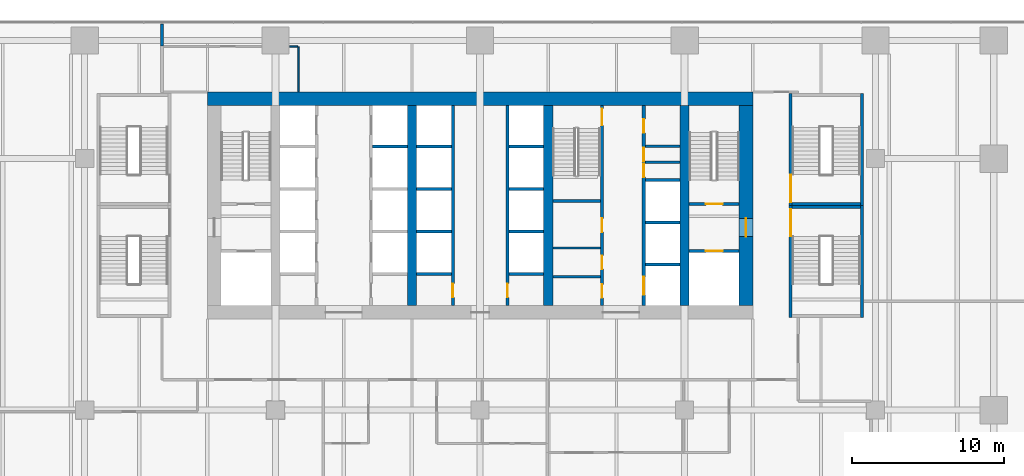
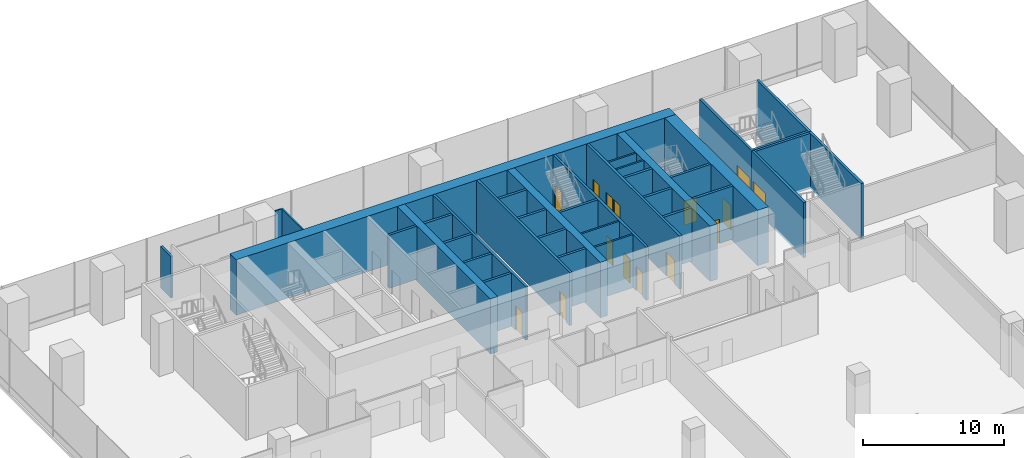
# One storey, part 21 of 28: 37 walls, 15 doors, 15 openings.
"""IFC4 building model written with IfcOpenShell, lengths in metres."""

from ifc_helpers import new_model, si_unit, direction, frame, frame_2d, origin, place, context, subcontext, project, spatial, rectangle, extrude, material, layer, layer_set, type_object, element, fill, save


model = new_model("IFC4")

# Units and contexts
model_context = context("Model", 3, precision=1e-05, world=origin(), true_north=direction((0.0, 1.0)))
body_context = subcontext(model_context, "Body", "Model", "MODEL_VIEW")
ifc_project = project(units=[si_unit("LENGTHUNIT", "METRE"), si_unit("AREAUNIT", "SQUARE_METRE"), si_unit("VOLUMEUNIT", "CUBIC_METRE"), si_unit("PLANEANGLEUNIT", "RADIAN"), si_unit("MASSUNIT", "GRAM", prefix="KILO")], contexts=[model_context])

# Site, building, storey
site_placement = place(None, origin())
site = spatial("IfcSite", under=ifc_project, at=site_placement, CompositionType="ELEMENT")
building_placement = place(site_placement, origin())
building = spatial("IfcBuilding", under=site, at=building_placement, Name="Rattan Terrace Tower", CompositionType="ELEMENT")
storey_placement = place(building_placement, frame((0.0, 0.0, 17.39990234375)))
storey = spatial("IfcBuildingStorey", under=building, at=storey_placement, Name="L03", CompositionType="ELEMENT", Elevation=17.39990234375)

# Walls
ifc_material_1 = material(Name="Gypsum board partition")
ifc_layer_1 = layer(ifc_material_1, 0.14990234375)
ifc_layer_set_1 = layer_set([ifc_layer_1], Name="Core partition 150")
wall_type_1 = type_object("IfcWallType", Name="Core partition 150", PredefinedType="PARTITIONING", material=ifc_layer_set_1)
for number, where, z_axis, x_axis, name in (
    (1, (4.800048828125, -4.696044921875, 0.0), (0.0, 0.0, 1.0), (1.0, 0.0, 0.0), "Toilet wall"),
    (2, (4.800048828125, -2.7919921875, 0.0), (0.0, 0.0, 1.0), (1.0, 0.0, 0.0), "Toilet wall"),
):
    element("IfcWall", number, at=place(storey_placement, frame(where, z_axis=z_axis, x_axis=x_axis)), inside=storey, type_object=wall_type_1, Name=name, PredefinedType="PARTITIONING", context=body_context, shape_type="SweptSolid", body=[
        extrude(rectangle(XDim=3.14990234375, YDim=0.14990234375, at=frame_2d((1.574951171875, 0.0))), origin(), (0.0, 0.0, 1.0), 4.60009765625),
    ])
for number, where, z_axis, x_axis, name in (
    (3, (10.89990234375, 2.85595703125, 0.0), (0.0, 0.0, 1.0), (1.0, 0.0, 0.0), "Riser room wall"),
    (4, (10.89990234375, 3.912109375, 0.0), (0.0, 0.0, 1.0), (1.0, 0.0, 0.0), "Riser room wall"),
):
    element("IfcWall", number, at=place(storey_placement, frame(where, z_axis=z_axis, x_axis=x_axis)), inside=storey, type_object=wall_type_1, Name=name, PredefinedType="PARTITIONING", context=body_context, shape_type="SweptSolid", body=[
        extrude(rectangle(XDim=2.300048828125, YDim=0.14990234375, at=frame_2d((1.14990234375, 0.0))), origin(), (0.0, 0.0, 1.0), 4.60009765625),
    ])

# Wall, opening, door
ifc_material_2 = material(Name="Gypsum board partition")
ifc_layer_2 = layer(ifc_material_2, 0.199951171875)
ifc_layer_set_2 = layer_set([ifc_layer_2], Name="Core partition 200")
wall_type_2 = type_object("IfcWallType", Name="Core partition 200", PredefinedType="PARTITIONING", material=ifc_layer_set_2)
wall_1_placement = place(storey_placement, frame((13.800048828125, -3.0, 0.0), z_axis=(0.0, 0.0, 1.0), x_axis=(1.0, 0.0, 0.0)))
wall_1 = element("IfcWall", 5, at=wall_1_placement, inside=storey, type_object=wall_type_2, Name="Fire-fighting lobby wall", PredefinedType="PARTITIONING", context=body_context, shape_type="SweptSolid", body=[
    extrude(rectangle(XDim=3.300048828125, YDim=0.199951171875, at=frame_2d((1.64990234375, 0.0))), origin(), (0.0, 0.0, 1.0), 4.60009765625),
])
opening_1_placement = place(wall_1_placement, frame((1.10009765625, 0.0, 0.0)))
opening_1 = element("IfcOpeningElement", 6, at=opening_1_placement, cuts=wall_1, Name="Opening L03-LD-FF2", PredefinedType="OPENING", context=body_context, shape_type="SweptSolid", body=[
    extrude(rectangle(XDim=1.10009765625, YDim=2.10009765625, at=frame_2d((0.550048828125, 1.050048828125))), frame((0.0, 0.110595703125, 0.0), z_axis=(0.0, -1.0, 0.0), x_axis=(1.0, 0.0, 0.0)), (0.0, 0.0, 1.0), 0.220947265625),
])
ifc_material_3 = material(Name="Brushed stainless landing door panel")
door_type_1 = type_object("IfcDoorType", Name="Core lift landing door 1100", OperationType="DOUBLE_DOOR_SLIDING", PredefinedType="DOOR", material=ifc_material_3)
door_1_placement = place(opening_1_placement, origin())
door_1 = element("IfcDoor", 7, at=door_1_placement, inside=storey, type_object=door_type_1, Name="Door L03-LD-FF2", OperationType="DOUBLE_DOOR_SLIDING", OverallHeight=2.10009765625, OverallWidth=1.10009765625, PredefinedType="DOOR", context=body_context, shape_type="SweptSolid", body=[
    extrude(rectangle(XDim=1.10009765625, YDim=2.10009765625, at=frame_2d((0.550048828125, 1.050048828125))), frame((0.0, 0.02490234375, 0.0), z_axis=(0.0, -1.0, 0.0), x_axis=(1.0, 0.0, 0.0)), (0.0, 0.0, 1.0), 0.050048828125),
])
fill(opening_1, door_1)

wall_2_placement = place(storey_placement, frame((13.800048828125, 0.10009765625, 0.0), z_axis=(0.0, 0.0, 1.0), x_axis=(1.0, 0.0, 0.0)))
wall_2 = element("IfcWall", 8, at=wall_2_placement, inside=storey, type_object=wall_type_2, Name="Stair enclosure wall", PredefinedType="PARTITIONING", context=body_context, shape_type="SweptSolid", body=[
    extrude(rectangle(XDim=3.300048828125, YDim=0.199951171875, at=frame_2d((1.64990234375, 0.0))), origin(), (0.0, 0.0, 1.0), 4.60009765625),
])
opening_2_placement = place(wall_2_placement, frame((1.10009765625, 0.0, 0.0)))
opening_2 = element("IfcOpeningElement", 9, at=opening_2_placement, cuts=wall_2, Name="Opening L03-D004", PredefinedType="OPENING", context=body_context, shape_type="SweptSolid", body=[
    extrude(rectangle(XDim=1.10009765625, YDim=2.10009765625, at=frame_2d((0.550048828125, 1.050048828125))), frame((0.0, 0.110595703125, 0.0), z_axis=(0.0, -1.0, 0.0), x_axis=(1.0, 0.0, 0.0)), (0.0, 0.0, 1.0), 0.220947265625),
])
ifc_material_4 = material(Name="Hollow-metal fire door leaf")
door_type_2 = type_object("IfcDoorType", Name="Core stair door 1100", OperationType="NOTDEFINED", PredefinedType="DOOR", material=ifc_material_4)
door_2_placement = place(opening_2_placement, origin())
door_2 = element("IfcDoor", 10, at=door_2_placement, inside=storey, type_object=door_type_2, Name="Door L03-D004", OperationType="SINGLE_SWING_LEFT", OverallHeight=2.10009765625, OverallWidth=1.10009765625, PredefinedType="DOOR", context=body_context, shape_type="SweptSolid", body=[
    extrude(rectangle(XDim=1.10009765625, YDim=2.10009765625, at=frame_2d((0.550048828125, 1.050048828125))), frame((0.0, 0.02490234375, 0.0), z_axis=(0.0, -1.0, 0.0), x_axis=(1.0, 0.0, 0.0)), (0.0, 0.0, 1.0), 0.050048828125),
])
fill(opening_2, door_2)

# Wall, openings, doors
wall_3_placement = place(storey_placement, frame((8.050048828125, -6.60009765625, 0.0), z_axis=(0.0, 0.0, 1.0), x_axis=(0.0, 1.0, 0.0)))
wall_3 = element("IfcWall", 11, at=wall_3_placement, inside=storey, type_object=wall_type_2, Name="Lobby wall west", PredefinedType="PARTITIONING", context=body_context, shape_type="SweptSolid", body=[
    extrude(rectangle(XDim=13.2001953125, YDim=0.199951171875, at=frame_2d((6.60009765625, 0.0))), origin(), (0.0, 0.0, 1.0), 4.60009765625),
])
opening_3_placement = place(wall_3_placement, frame((0.501953125, 0.0, 0.0)))
opening_3 = element("IfcOpeningElement", 12, at=opening_3_placement, cuts=wall_3, Name="Opening L03-D011", PredefinedType="OPENING", context=body_context, shape_type="SweptSolid", body=[
    extrude(rectangle(XDim=0.89990234375, YDim=2.10009765625, at=frame_2d((0.449951171875, 1.050048828125))), frame((0.0, 0.110595703125, 0.0), z_axis=(0.0, -1.0, 0.0), x_axis=(1.0, 0.0, 0.0)), (0.0, 0.0, 1.0), 0.220947265625),
])
opening_4_placement = place(wall_3_placement, frame((2.406005859375, 0.0, 0.0)))
opening_4 = element("IfcOpeningElement", 13, at=opening_4_placement, cuts=wall_3, Name="Opening L03-D012", PredefinedType="OPENING", context=body_context, shape_type="SweptSolid", body=[
    extrude(rectangle(XDim=0.89990234375, YDim=2.10009765625, at=frame_2d((0.449951171875, 1.050048828125))), frame((0.0, 0.110595703125, 0.0), z_axis=(0.0, -1.0, 0.0), x_axis=(1.0, 0.0, 0.0)), (0.0, 0.0, 1.0), 0.220947265625),
])
opening_5_placement = place(wall_3_placement, frame((4.85400390625, 0.0, 0.0)))
opening_5 = element("IfcOpeningElement", 14, at=opening_5_placement, cuts=wall_3, Name="Opening L03-D013", PredefinedType="OPENING", context=body_context, shape_type="SweptSolid", body=[
    extrude(rectangle(XDim=0.89990234375, YDim=2.10009765625, at=frame_2d((0.449951171875, 1.050048828125))), frame((0.0, 0.110595703125, 0.0), z_axis=(0.0, -1.0, 0.0), x_axis=(1.0, 0.0, 0.0)), (0.0, 0.0, 1.0), 0.220947265625),
])
opening_6_placement = place(wall_3_placement, frame((11.89990234375, 0.0, 0.0)))
opening_6 = element("IfcOpeningElement", 15, at=opening_6_placement, cuts=wall_3, Name="Opening L03-D014", PredefinedType="OPENING", context=body_context, shape_type="SweptSolid", body=[
    extrude(rectangle(XDim=1.10009765625, YDim=2.10009765625, at=frame_2d((0.550048828125, 1.050048828125))), frame((0.0, 0.110595703125, 0.0), z_axis=(0.0, -1.0, 0.0), x_axis=(1.0, 0.0, 0.0)), (0.0, 0.0, 1.0), 0.220947265625),
])
door_3_placement = place(opening_6_placement, origin())
door_3 = element("IfcDoor", 16, at=door_3_placement, inside=storey, type_object=door_type_2, Name="Door L03-D014", OperationType="SINGLE_SWING_RIGHT", OverallHeight=2.10009765625, OverallWidth=1.10009765625, PredefinedType="DOOR", context=body_context, shape_type="SweptSolid", body=[
    extrude(rectangle(XDim=1.10009765625, YDim=2.10009765625, at=frame_2d((0.550048828125, 1.050048828125))), frame((0.0, 0.02490234375, 0.0), z_axis=(0.0, -1.0, 0.0), x_axis=(1.0, 0.0, 0.0)), (0.0, 0.0, 1.0), 0.050048828125),
])
fill(opening_6, door_3)
ifc_material_5 = material(Name="Hollow-metal fire door leaf")
door_type_3 = type_object("IfcDoorType", Name="Core toilet door 900", OperationType="NOTDEFINED", PredefinedType="DOOR", material=ifc_material_5)
door_4_placement = place(opening_3_placement, origin())
door_4 = element("IfcDoor", 17, at=door_4_placement, inside=storey, type_object=door_type_3, Name="Door L03-D011", OperationType="SINGLE_SWING_LEFT", OverallHeight=2.10009765625, OverallWidth=0.89990234375, PredefinedType="DOOR", context=body_context, shape_type="SweptSolid", body=[
    extrude(rectangle(XDim=0.89990234375, YDim=2.10009765625, at=frame_2d((0.449951171875, 1.050048828125))), frame((0.0, 0.02490234375, 0.0), z_axis=(0.0, -1.0, 0.0), x_axis=(1.0, 0.0, 0.0)), (0.0, 0.0, 1.0), 0.050048828125),
])
fill(opening_3, door_4)
door_5_placement = place(opening_4_placement, origin())
door_5 = element("IfcDoor", 18, at=door_5_placement, inside=storey, type_object=door_type_3, Name="Door L03-D012", OperationType="SINGLE_SWING_RIGHT", OverallHeight=2.10009765625, OverallWidth=0.89990234375, PredefinedType="DOOR", context=body_context, shape_type="SweptSolid", body=[
    extrude(rectangle(XDim=0.89990234375, YDim=2.10009765625, at=frame_2d((0.449951171875, 1.050048828125))), frame((0.0, 0.02490234375, 0.0), z_axis=(0.0, -1.0, 0.0), x_axis=(1.0, 0.0, 0.0)), (0.0, 0.0, 1.0), 0.050048828125),
])
fill(opening_4, door_5)
door_6_placement = place(opening_5_placement, origin())
door_6 = element("IfcDoor", 19, at=door_6_placement, inside=storey, type_object=door_type_3, Name="Door L03-D013", OperationType="SINGLE_SWING_LEFT", OverallHeight=2.10009765625, OverallWidth=0.89990234375, PredefinedType="DOOR", context=body_context, shape_type="SweptSolid", body=[
    extrude(rectangle(XDim=0.89990234375, YDim=2.10009765625, at=frame_2d((0.449951171875, 1.050048828125))), frame((0.0, 0.02490234375, 0.0), z_axis=(0.0, -1.0, 0.0), x_axis=(1.0, 0.0, 0.0)), (0.0, 0.0, 1.0), 0.050048828125),
])
fill(opening_5, door_6)

# Walls
wall_4_placement = place(storey_placement, frame((4.800048828125, 0.300048828125, 0.0), z_axis=(0.0, 0.0, 1.0), x_axis=(1.0, 0.0, 0.0)))
element("IfcWall", 20, at=wall_4_placement, inside=storey, type_object=wall_type_2, Name="Stair enclosure wall", PredefinedType="PARTITIONING", context=body_context, shape_type="SweptSolid", body=[
    extrude(rectangle(XDim=3.14990234375, YDim=0.199951171875, at=frame_2d((1.574951171875, 0.0))), origin(), (0.0, 0.0, 1.0), 4.60009765625),
])
ifc_material_6 = material(Name="Concrete C70/85", Category="concrete")
ifc_layer_3 = layer(ifc_material_6, 0.89990234375)
ifc_layer_set_3 = layer_set([ifc_layer_3], Name="Core ring wall 900 C70/85")
wall_type_3 = type_object("IfcWallType", Name="Core ring wall 900 C70/85", PredefinedType="SHEAR", material=ifc_layer_set_3)
wall_5_placement = place(storey_placement, frame((-18.0, 7.050048828125, -0.199951171875), z_axis=(0.0, 0.0, 1.0), x_axis=(1.0, 0.0, 0.0)))
element("IfcWall", 21, at=wall_5_placement, inside=storey, type_object=wall_type_3, Name="Rear core wall north", PredefinedType="SHEAR", context=body_context, shape_type="SweptSolid", body=[
    extrude(rectangle(XDim=36.0, YDim=0.89990234375, at=frame_2d((18.0, 0.0))), origin(), (0.0, 0.0, 1.0), 4.800048828125),
])

# Wall, opening, door
wall_6_placement = place(storey_placement, frame((17.550048828125, -6.60009765625, -0.199951171875), z_axis=(0.0, 0.0, 1.0), x_axis=(0.0, 1.0, 0.0)))
wall_6 = element("IfcWall", 22, at=wall_6_placement, inside=storey, type_object=wall_type_3, Name="Rear core wall east", PredefinedType="SHEAR", context=body_context, shape_type="SweptSolid", body=[
    extrude(rectangle(XDim=13.2001953125, YDim=0.89990234375, at=frame_2d((6.60009765625, 0.0))), origin(), (0.0, 0.0, 1.0), 4.800048828125),
])
opening_7_placement = place(wall_6_placement, frame((4.550048828125, 0.0, 0.199951171875)))
opening_7 = element("IfcOpeningElement", 23, at=opening_7_placement, cuts=wall_6, Name="Opening L03-D003", PredefinedType="OPENING", context=body_context, shape_type="SweptSolid", body=[
    extrude(rectangle(XDim=1.199951171875, YDim=2.10009765625, at=frame_2d((0.60009765625, 1.050048828125))), frame((0.0, 0.46044921875, 0.0), z_axis=(0.0, -1.0, 0.0), x_axis=(1.0, 0.0, 0.0)), (0.0, 0.0, 1.0), 0.9208984375),
])
ifc_material_7 = material(Name="Hollow-metal fire door leaf")
door_type_4 = type_object("IfcDoorType", Name="Core fire-fighting lobby door 1200", OperationType="NOTDEFINED", PredefinedType="DOOR", material=ifc_material_7)
door_7_placement = place(opening_7_placement, origin())
door_7 = element("IfcDoor", 24, at=door_7_placement, inside=storey, type_object=door_type_4, Name="Door L03-D003", OperationType="SINGLE_SWING_RIGHT", OverallHeight=2.10009765625, OverallWidth=1.199951171875, PredefinedType="DOOR", context=body_context, shape_type="SweptSolid", body=[
    extrude(rectangle(XDim=1.199951171875, YDim=2.10009765625, at=frame_2d((0.60009765625, 1.050048828125))), frame((0.0, 0.02490234375, 0.0), z_axis=(0.0, -1.0, 0.0), x_axis=(1.0, 0.0, 0.0)), (0.0, 0.0, 1.0), 0.050048828125),
])
fill(opening_7, door_7)

# Walls
ifc_material_8 = material(Name="Concrete C70/85", Category="concrete")
ifc_layer_4 = layer(ifc_material_8, 0.60009765625)
ifc_layer_set_4 = layer_set([ifc_layer_4], Name="Core spine wall 600 C70/85")
wall_type_4 = type_object("IfcWallType", Name="Core spine wall 600 C70/85", PredefinedType="SHEAR", material=ifc_layer_set_4)
for number, where, z_axis, x_axis, name in (
    (25, (-4.5, -6.60009765625, -0.199951171875), (0.0, 0.0, 1.0), (0.0, 1.0, 0.0), "Core spine wall 2"),
    (26, (4.5, -6.60009765625, -0.199951171875), (0.0, 0.0, 1.0), (0.0, 1.0, 0.0), "Core spine wall 3"),
    (27, (13.5, -6.60009765625, -0.199951171875), (0.0, 0.0, 1.0), (0.0, 1.0, 0.0), "Core spine wall 4"),
):
    element("IfcWall", number, at=place(storey_placement, frame(where, z_axis=z_axis, x_axis=x_axis)), inside=storey, type_object=wall_type_4, Name=name, PredefinedType="SHEAR", context=body_context, shape_type="SweptSolid", body=[
        extrude(rectangle(XDim=13.2001953125, YDim=0.60009765625, at=frame_2d((6.60009765625, 0.0))), origin(), (0.0, 0.0, 1.0), 4.800048828125),
    ])
ifc_material_9 = material(Name="Double steel stud acoustic partition, gypsum board, mineral wool, fire rated", Category="steel")
ifc_layer_5 = layer(ifc_material_9, 0.179931640625)
ifc_layer_set_5 = layer_set([ifc_layer_5], Name="Floors Acoustic Party Wall 180")
wall_type_5 = type_object("IfcWallType", Name="Floors Acoustic Party Wall 180", PredefinedType="PARTITIONING", material=ifc_layer_set_5)
wall_7_placement = place(storey_placement, frame((-21.0, 11.989990234375, 0.0), z_axis=(0.0, 0.0, 1.0), x_axis=(0.0, -1.0, 0.0)))
element("IfcWall", 28, at=wall_7_placement, inside=storey, type_object=wall_type_5, Name="pt-L03-020", PredefinedType="PARTITIONING", context=body_context, shape_type="SweptSolid", body=[
    extrude(rectangle(XDim=1.469970703125, YDim=0.179931640625, at=frame_2d((0.73486328125, 0.0))), origin(), (0.0, 0.0, 1.0), 3.60009765625),
])
ifc_material_10 = material(Name="Gypsum board partition on steel studs", Category="steel")
ifc_layer_6 = layer(ifc_material_10, 0.10009765625)
ifc_layer_set_6 = layer_set([ifc_layer_6], Name="Floors Partition 100")
wall_type_6 = type_object("IfcWallType", Name="Floors Partition 100", PredefinedType="PARTITIONING", material=ifc_layer_set_6)
wall_8_placement = place(storey_placement, frame((-12.050048828125, 10.5, 0.0), z_axis=(0.0, 0.0, 1.0), x_axis=(-1.0, 0.0, 0.0)))
element("IfcWall", 29, at=wall_8_placement, inside=storey, type_object=wall_type_6, Name="pt-L03-044", PredefinedType="PARTITIONING", context=body_context, shape_type="SweptSolid", body=[
    extrude(rectangle(XDim=0.530029296875, YDim=0.10009765625, at=frame_2d((0.26513671875, 0.0))), origin(), (0.0, 0.0, 1.0), 4.60009765625),
])
wall_9_placement = place(storey_placement, frame((-12.0, 7.5, 0.0), z_axis=(0.0, 0.0, 1.0), x_axis=(0.0, 1.0, 0.0)))
element("IfcWall", 30, at=wall_9_placement, inside=storey, type_object=wall_type_6, Name="pt-L03-045", PredefinedType="PARTITIONING", context=body_context, shape_type="SweptSolid", body=[
    extrude(rectangle(XDim=3.0, YDim=0.10009765625, at=frame_2d((1.5, 0.0))), origin(), (0.0, 0.0, 1.0), 4.60009765625),
])
ifc_material_11 = material(Name="Gypsum shaft wall system")
ifc_layer_7 = layer(ifc_material_11, 0.199951171875)
ifc_layer_set_7 = layer_set([ifc_layer_7], Name="Lift shaft wall 200")
wall_type_7 = type_object("IfcWallType", Name="Lift shaft wall 200", PredefinedType="PARTITIONING", material=ifc_layer_set_7)
wall_10_placement = place(storey_placement, frame((-7.10009765625, 3.89990234375, 0.0), z_axis=(0.0, 0.0, 1.0), x_axis=(1.0, 0.0, 0.0)))
element("IfcWall", 31, at=wall_10_placement, inside=storey, type_object=wall_type_7, Name="Lift shaft wall", PredefinedType="PARTITIONING", context=body_context, shape_type="SweptSolid", body=[
    extrude(rectangle(XDim=2.300048828125, YDim=0.199951171875, at=frame_2d((1.14990234375, 0.0))), origin(), (0.0, 0.0, 1.0), 4.60009765625),
])

# Wall, opening, door
wall_11_placement = place(storey_placement, frame((-1.800048828125, -6.60009765625, 0.0), z_axis=(0.0, 0.0, 1.0), x_axis=(0.0, 1.0, 0.0)))
wall_11 = element("IfcWall", 32, at=wall_11_placement, inside=storey, type_object=wall_type_7, Name="Lift shaft front wall", PredefinedType="PARTITIONING", context=body_context, shape_type="SweptSolid", body=[
    extrude(rectangle(XDim=13.2001953125, YDim=0.199951171875, at=frame_2d((6.60009765625, 0.0))), origin(), (0.0, 0.0, 1.0), 4.60009765625),
])
opening_8_placement = place(wall_11_placement, frame((0.550048828125, 0.0, 0.0)))
opening_8 = element("IfcOpeningElement", 33, at=opening_8_placement, cuts=wall_11, Name="Opening L03-D008", PredefinedType="OPENING", context=body_context, shape_type="SweptSolid", body=[
    extrude(rectangle(XDim=0.89990234375, YDim=2.10009765625, at=frame_2d((0.449951171875, 1.050048828125))), frame((0.0, 0.110595703125, 0.0), z_axis=(0.0, -1.0, 0.0), x_axis=(1.0, 0.0, 0.0)), (0.0, 0.0, 1.0), 0.220947265625),
])
ifc_material_12 = material(Name="Hollow-metal fire door leaf")
door_type_5 = type_object("IfcDoorType", Name="Core riser door 900", OperationType="NOTDEFINED", PredefinedType="DOOR", material=ifc_material_12)
door_8_placement = place(opening_8_placement, origin())
door_8 = element("IfcDoor", 34, at=door_8_placement, inside=storey, type_object=door_type_5, Name="Door L03-D008", OperationType="SINGLE_SWING_RIGHT", OverallHeight=2.10009765625, OverallWidth=0.89990234375, PredefinedType="DOOR", context=body_context, shape_type="SweptSolid", body=[
    extrude(rectangle(XDim=0.89990234375, YDim=2.10009765625, at=frame_2d((0.449951171875, 1.050048828125))), frame((0.0, 0.02490234375, 0.0), z_axis=(0.0, -1.0, 0.0), x_axis=(1.0, 0.0, 0.0)), (0.0, 0.0, 1.0), 0.050048828125),
])
fill(opening_8, door_8)

wall_12_placement = place(storey_placement, frame((1.800048828125, -6.60009765625, 0.0), z_axis=(0.0, 0.0, 1.0), x_axis=(0.0, 1.0, 0.0)))
wall_12 = element("IfcWall", 35, at=wall_12_placement, inside=storey, type_object=wall_type_7, Name="Lift shaft front wall", PredefinedType="PARTITIONING", context=body_context, shape_type="SweptSolid", body=[
    extrude(rectangle(XDim=13.2001953125, YDim=0.199951171875, at=frame_2d((6.60009765625, 0.0))), origin(), (0.0, 0.0, 1.0), 4.60009765625),
])
opening_9_placement = place(wall_12_placement, frame((0.550048828125, 0.0, 0.0)))
opening_9 = element("IfcOpeningElement", 36, at=opening_9_placement, cuts=wall_12, Name="Opening L03-D009", PredefinedType="OPENING", context=body_context, shape_type="SweptSolid", body=[
    extrude(rectangle(XDim=0.89990234375, YDim=2.10009765625, at=frame_2d((0.449951171875, 1.050048828125))), frame((0.0, 0.110595703125, 0.0), z_axis=(0.0, -1.0, 0.0), x_axis=(1.0, 0.0, 0.0)), (0.0, 0.0, 1.0), 0.220947265625),
])
door_9_placement = place(opening_9_placement, origin())
door_9 = element("IfcDoor", 37, at=door_9_placement, inside=storey, type_object=door_type_5, Name="Door L03-D009", OperationType="SINGLE_SWING_LEFT", OverallHeight=2.10009765625, OverallWidth=0.89990234375, PredefinedType="DOOR", context=body_context, shape_type="SweptSolid", body=[
    extrude(rectangle(XDim=0.89990234375, YDim=2.10009765625, at=frame_2d((0.449951171875, 1.050048828125))), frame((0.0, 0.02490234375, 0.0), z_axis=(0.0, -1.0, 0.0), x_axis=(1.0, 0.0, 0.0)), (0.0, 0.0, 1.0), 0.050048828125),
])
fill(opening_9, door_9)

# Walls
for number, where, z_axis, x_axis, name in (
    (38, (-4.199951171875, -1.699951171875, 0.0), (0.0, 0.0, 1.0), (1.0, 0.0, 0.0), "Lift shaft wall"),
    (39, (-4.199951171875, 1.10009765625, 0.0), (0.0, 0.0, 1.0), (1.0, 0.0, 0.0), "Lift shaft wall"),
    (40, (-4.199951171875, 3.89990234375, 0.0), (0.0, 0.0, 1.0), (1.0, 0.0, 0.0), "Lift shaft wall"),
    (41, (-4.199951171875, -4.5, 0.0), (0.0, 0.0, 1.0), (1.0, 0.0, 0.0), "Lift shaft wall"),
    (42, (1.89990234375, -1.699951171875, 0.0), (0.0, 0.0, 1.0), (1.0, 0.0, 0.0), "Lift shaft wall"),
    (43, (1.89990234375, 1.10009765625, 0.0), (0.0, 0.0, 1.0), (1.0, 0.0, 0.0), "Lift shaft wall"),
    (44, (1.89990234375, 3.89990234375, 0.0), (0.0, 0.0, 1.0), (1.0, 0.0, 0.0), "Lift shaft wall"),
    (45, (1.89990234375, -4.5, 0.0), (0.0, 0.0, 1.0), (1.0, 0.0, 0.0), "Lift shaft wall"),
):
    element("IfcWall", number, at=place(storey_placement, frame(where, z_axis=z_axis, x_axis=x_axis)), inside=storey, type_object=wall_type_7, Name=name, PredefinedType="PARTITIONING", context=body_context, shape_type="SweptSolid", body=[
        extrude(rectangle(XDim=2.300048828125, YDim=0.199951171875, at=frame_2d((1.14990234375, 0.0))), origin(), (0.0, 0.0, 1.0), 4.60009765625),
    ])

# Wall, openings, doors
wall_13_placement = place(storey_placement, frame((10.800048828125, -6.60009765625, 0.0), z_axis=(0.0, 0.0, 1.0), x_axis=(0.0, 1.0, 0.0)))
wall_13 = element("IfcWall", 46, at=wall_13_placement, inside=storey, type_object=wall_type_7, Name="Lift shaft front wall", PredefinedType="PARTITIONING", context=body_context, shape_type="SweptSolid", body=[
    extrude(rectangle(XDim=13.2001953125, YDim=0.199951171875, at=frame_2d((6.60009765625, 0.0))), origin(), (0.0, 0.0, 1.0), 4.60009765625),
])
opening_10_placement = place(wall_13_placement, frame((0.699951171875, 0.0, 0.0)))
opening_10 = element("IfcOpeningElement", 47, at=opening_10_placement, cuts=wall_13, Name="Opening L03-LD-SV1", PredefinedType="OPENING", context=body_context, shape_type="SweptSolid", body=[
    extrude(rectangle(XDim=1.199951171875, YDim=2.10009765625, at=frame_2d((0.60009765625, 1.050048828125))), frame((0.0, 0.110595703125, 0.0), z_axis=(0.0, -1.0, 0.0), x_axis=(1.0, 0.0, 0.0)), (0.0, 0.0, 1.0), 0.220947265625),
])
opening_11_placement = place(wall_13_placement, frame((8.47802734375, 0.0, 0.0)))
opening_11 = element("IfcOpeningElement", 48, at=opening_11_placement, cuts=wall_13, Name="Opening L03-D016", PredefinedType="OPENING", context=body_context, shape_type="SweptSolid", body=[
    extrude(rectangle(XDim=0.89990234375, YDim=2.10009765625, at=frame_2d((0.449951171875, 1.050048828125))), frame((0.0, 0.110595703125, 0.0), z_axis=(0.0, -1.0, 0.0), x_axis=(1.0, 0.0, 0.0)), (0.0, 0.0, 1.0), 0.220947265625),
])
opening_12_placement = place(wall_13_placement, frame((9.533935546875, 0.0, 0.0)))
opening_12 = element("IfcOpeningElement", 49, at=opening_12_placement, cuts=wall_13, Name="Opening L03-D017", PredefinedType="OPENING", context=body_context, shape_type="SweptSolid", body=[
    extrude(rectangle(XDim=0.89990234375, YDim=2.10009765625, at=frame_2d((0.449951171875, 1.050048828125))), frame((0.0, 0.110595703125, 0.0), z_axis=(0.0, -1.0, 0.0), x_axis=(1.0, 0.0, 0.0)), (0.0, 0.0, 1.0), 0.220947265625),
])
opening_13_placement = place(wall_13_placement, frame((11.406005859375, 0.0, 0.0)))
opening_13 = element("IfcOpeningElement", 50, at=opening_13_placement, cuts=wall_13, Name="Opening L03-D018", PredefinedType="OPENING", context=body_context, shape_type="SweptSolid", body=[
    extrude(rectangle(XDim=0.89990234375, YDim=2.10009765625, at=frame_2d((0.449951171875, 1.050048828125))), frame((0.0, 0.110595703125, 0.0), z_axis=(0.0, -1.0, 0.0), x_axis=(1.0, 0.0, 0.0)), (0.0, 0.0, 1.0), 0.220947265625),
])
ifc_material_13 = material(Name="Brushed stainless landing door panel")
door_type_6 = type_object("IfcDoorType", Name="Core lift landing door 1200", OperationType="DOUBLE_DOOR_SLIDING", PredefinedType="DOOR", material=ifc_material_13)
door_10_placement = place(opening_10_placement, origin())
door_10 = element("IfcDoor", 51, at=door_10_placement, inside=storey, type_object=door_type_6, Name="Door L03-LD-SV1", OperationType="DOUBLE_DOOR_SLIDING", OverallHeight=2.10009765625, OverallWidth=1.199951171875, PredefinedType="DOOR", context=body_context, shape_type="SweptSolid", body=[
    extrude(rectangle(XDim=1.199951171875, YDim=2.10009765625, at=frame_2d((0.60009765625, 1.050048828125))), frame((0.0, 0.02490234375, 0.0), z_axis=(0.0, -1.0, 0.0), x_axis=(1.0, 0.0, 0.0)), (0.0, 0.0, 1.0), 0.050048828125),
])
fill(opening_10, door_10)
door_11_placement = place(opening_11_placement, origin())
door_11 = element("IfcDoor", 52, at=door_11_placement, inside=storey, type_object=door_type_5, Name="Door L03-D016", OperationType="SINGLE_SWING_LEFT", OverallHeight=2.10009765625, OverallWidth=0.89990234375, PredefinedType="DOOR", context=body_context, shape_type="SweptSolid", body=[
    extrude(rectangle(XDim=0.89990234375, YDim=2.10009765625, at=frame_2d((0.449951171875, 1.050048828125))), frame((0.0, 0.02490234375, 0.0), z_axis=(0.0, -1.0, 0.0), x_axis=(1.0, 0.0, 0.0)), (0.0, 0.0, 1.0), 0.050048828125),
])
fill(opening_11, door_11)
door_12_placement = place(opening_12_placement, origin())
door_12 = element("IfcDoor", 53, at=door_12_placement, inside=storey, type_object=door_type_5, Name="Door L03-D017", OperationType="SINGLE_SWING_RIGHT", OverallHeight=2.10009765625, OverallWidth=0.89990234375, PredefinedType="DOOR", context=body_context, shape_type="SweptSolid", body=[
    extrude(rectangle(XDim=0.89990234375, YDim=2.10009765625, at=frame_2d((0.449951171875, 1.050048828125))), frame((0.0, 0.02490234375, 0.0), z_axis=(0.0, -1.0, 0.0), x_axis=(1.0, 0.0, 0.0)), (0.0, 0.0, 1.0), 0.050048828125),
])
fill(opening_12, door_12)
ifc_material_14 = material(Name="Hollow-metal fire door leaf")
door_type_7 = type_object("IfcDoorType", Name="Core service room door 900", OperationType="NOTDEFINED", PredefinedType="DOOR", material=ifc_material_14)
door_13_placement = place(opening_13_placement, origin())
door_13 = element("IfcDoor", 54, at=door_13_placement, inside=storey, type_object=door_type_7, Name="Door L03-D018", OperationType="SINGLE_SWING_LEFT", OverallHeight=2.10009765625, OverallWidth=0.89990234375, PredefinedType="DOOR", context=body_context, shape_type="SweptSolid", body=[
    extrude(rectangle(XDim=0.89990234375, YDim=2.10009765625, at=frame_2d((0.449951171875, 1.050048828125))), frame((0.0, 0.02490234375, 0.0), z_axis=(0.0, -1.0, 0.0), x_axis=(1.0, 0.0, 0.0)), (0.0, 0.0, 1.0), 0.050048828125),
])
fill(opening_13, door_13)

# Walls
for number, where, z_axis, x_axis, name in (
    (55, (10.89990234375, -3.89990234375, 0.0), (0.0, 0.0, 1.0), (1.0, 0.0, 0.0), "Lift shaft wall"),
    (56, (10.89990234375, -1.10009765625, 0.0), (0.0, 0.0, 1.0), (1.0, 0.0, 0.0), "Lift shaft wall"),
    (57, (10.89990234375, 1.699951171875, 0.0), (0.0, 0.0, 1.0), (1.0, 0.0, 0.0), "Lift shaft wall"),
):
    element("IfcWall", number, at=place(storey_placement, frame(where, z_axis=z_axis, x_axis=x_axis)), inside=storey, type_object=wall_type_7, Name=name, PredefinedType="PARTITIONING", context=body_context, shape_type="SweptSolid", body=[
        extrude(rectangle(XDim=2.300048828125, YDim=0.199951171875, at=frame_2d((1.14990234375, 0.0))), origin(), (0.0, 0.0, 1.0), 4.60009765625),
    ])

# Wall, opening, door
ifc_material_15 = material(Name="Concrete C40/50", Category="concrete")
ifc_layer_8 = layer(ifc_material_15, 0.199951171875)
ifc_layer_set_8 = layer_set([ifc_layer_8], Name="Podium exit stair shaft wall 200")
wall_type_8 = type_object("IfcWallType", Name="Podium exit stair shaft wall 200", PredefinedType="SHEAR", material=ifc_layer_set_8)
wall_14_placement = place(storey_placement, frame((20.5, -7.39990234375, -0.199951171875), z_axis=(0.0, 0.0, 1.0), x_axis=(0.0, 1.0, 0.0)))
wall_14 = element("IfcWall", 58, at=wall_14_placement, inside=storey, type_object=wall_type_8, Name="L03 stair S6 shaft wall", PredefinedType="SHEAR", context=body_context, shape_type="SweptSolid", body=[
    extrude(rectangle(XDim=7.39990234375, YDim=0.199951171875, at=frame_2d((3.699951171875, 0.0))), origin(), (0.0, 0.0, 1.0), 4.800048828125),
])
opening_14_placement = place(wall_14_placement, frame((5.375, 0.0, 0.199951171875)))
opening_14 = element("IfcOpeningElement", 59, at=opening_14_placement, cuts=wall_14, Name="Opening L03-D903", PredefinedType="OPENING", context=body_context, shape_type="SweptSolid", body=[
    extrude(rectangle(XDim=1.800048828125, YDim=2.10009765625, at=frame_2d((0.89990234375, 1.050048828125))), frame((0.0, 0.110595703125, 0.0), z_axis=(0.0, -1.0, 0.0), x_axis=(1.0, 0.0, 0.0)), (0.0, 0.0, 1.0), 0.220947265625),
])
ifc_material_16 = material(Name="Hollow-metal fire door leaf")
door_type_8 = type_object("IfcDoorType", Name="Podium exit stair door pair 1800", OperationType="DOUBLE_DOOR_SINGLE_SWING", PredefinedType="DOOR", material=ifc_material_16)
door_14_placement = place(opening_14_placement, origin())
door_14 = element("IfcDoor", 60, at=door_14_placement, inside=storey, type_object=door_type_8, Name="Door L03-D903", OperationType="DOUBLE_DOOR_SINGLE_SWING", OverallHeight=2.10009765625, OverallWidth=1.800048828125, PredefinedType="DOOR", context=body_context, shape_type="SweptSolid", body=[
    extrude(rectangle(XDim=1.800048828125, YDim=2.10009765625, at=frame_2d((0.89990234375, 1.050048828125))), frame((0.0, 0.02490234375, 0.0), z_axis=(0.0, -1.0, 0.0), x_axis=(1.0, 0.0, 0.0)), (0.0, 0.0, 1.0), 0.050048828125),
])
fill(opening_14, door_14)

# Walls
wall_15_placement = place(storey_placement, frame((25.199951171875, -7.39990234375, -0.199951171875), z_axis=(0.0, 0.0, 1.0), x_axis=(0.0, 1.0, 0.0)))
element("IfcWall", 61, at=wall_15_placement, inside=storey, type_object=wall_type_8, Name="L03 stair S6 shaft wall", PredefinedType="SHEAR", context=body_context, shape_type="SweptSolid", body=[
    extrude(rectangle(XDim=7.39990234375, YDim=0.199951171875, at=frame_2d((3.699951171875, 0.0))), origin(), (0.0, 0.0, 1.0), 4.800048828125),
])
wall_16_placement = place(storey_placement, frame((20.60009765625, -0.10009765625, -0.199951171875), z_axis=(0.0, 0.0, 1.0), x_axis=(1.0, 0.0, 0.0)))
element("IfcWall", 62, at=wall_16_placement, inside=storey, type_object=wall_type_8, Name="L03 stair S6 shaft wall", PredefinedType="SHEAR", context=body_context, shape_type="SweptSolid", body=[
    extrude(rectangle(XDim=4.5, YDim=0.199951171875, at=frame_2d((2.25, 0.0))), origin(), (0.0, 0.0, 1.0), 4.800048828125),
])

# Wall, opening, door
wall_17_placement = place(storey_placement, frame((20.5, 0.0, -0.199951171875), z_axis=(0.0, 0.0, 1.0), x_axis=(0.0, 1.0, 0.0)))
wall_17 = element("IfcWall", 63, at=wall_17_placement, inside=storey, type_object=wall_type_8, Name="L03 stair S7 shaft wall", PredefinedType="SHEAR", context=body_context, shape_type="SweptSolid", body=[
    extrude(rectangle(XDim=7.39990234375, YDim=0.199951171875, at=frame_2d((3.699951171875, 0.0))), origin(), (0.0, 0.0, 1.0), 4.800048828125),
])
opening_15_placement = place(wall_17_placement, frame((0.22509765625, 0.0, 0.199951171875)))
opening_15 = element("IfcOpeningElement", 64, at=opening_15_placement, cuts=wall_17, Name="Opening L03-D904", PredefinedType="OPENING", context=body_context, shape_type="SweptSolid", body=[
    extrude(rectangle(XDim=1.800048828125, YDim=2.10009765625, at=frame_2d((0.89990234375, 1.050048828125))), frame((0.0, 0.110595703125, 0.0), z_axis=(0.0, -1.0, 0.0), x_axis=(1.0, 0.0, 0.0)), (0.0, 0.0, 1.0), 0.220947265625),
])
door_15_placement = place(opening_15_placement, origin())
door_15 = element("IfcDoor", 65, at=door_15_placement, inside=storey, type_object=door_type_8, Name="Door L03-D904", OperationType="DOUBLE_DOOR_SINGLE_SWING", OverallHeight=2.10009765625, OverallWidth=1.800048828125, PredefinedType="DOOR", context=body_context, shape_type="SweptSolid", body=[
    extrude(rectangle(XDim=1.800048828125, YDim=2.10009765625, at=frame_2d((0.89990234375, 1.050048828125))), frame((0.0, 0.02490234375, 0.0), z_axis=(0.0, -1.0, 0.0), x_axis=(1.0, 0.0, 0.0)), (0.0, 0.0, 1.0), 0.050048828125),
])
fill(opening_15, door_15)

# Walls
wall_18_placement = place(storey_placement, frame((25.199951171875, 0.0, -0.199951171875), z_axis=(0.0, 0.0, 1.0), x_axis=(0.0, 1.0, 0.0)))
element("IfcWall", 66, at=wall_18_placement, inside=storey, type_object=wall_type_8, Name="L03 stair S7 shaft wall", PredefinedType="SHEAR", context=body_context, shape_type="SweptSolid", body=[
    extrude(rectangle(XDim=7.39990234375, YDim=0.199951171875, at=frame_2d((3.699951171875, 0.0))), origin(), (0.0, 0.0, 1.0), 4.800048828125),
])
wall_19_placement = place(storey_placement, frame((20.60009765625, 0.10009765625, -0.199951171875), z_axis=(0.0, 0.0, 1.0), x_axis=(1.0, 0.0, 0.0)))
element("IfcWall", 67, at=wall_19_placement, inside=storey, type_object=wall_type_8, Name="L03 stair S7 shaft wall", PredefinedType="SHEAR", context=body_context, shape_type="SweptSolid", body=[
    extrude(rectangle(XDim=4.5, YDim=0.199951171875, at=frame_2d((2.25, 0.0))), origin(), (0.0, 0.0, 1.0), 4.800048828125),
])

save(model, "model.ifc")
